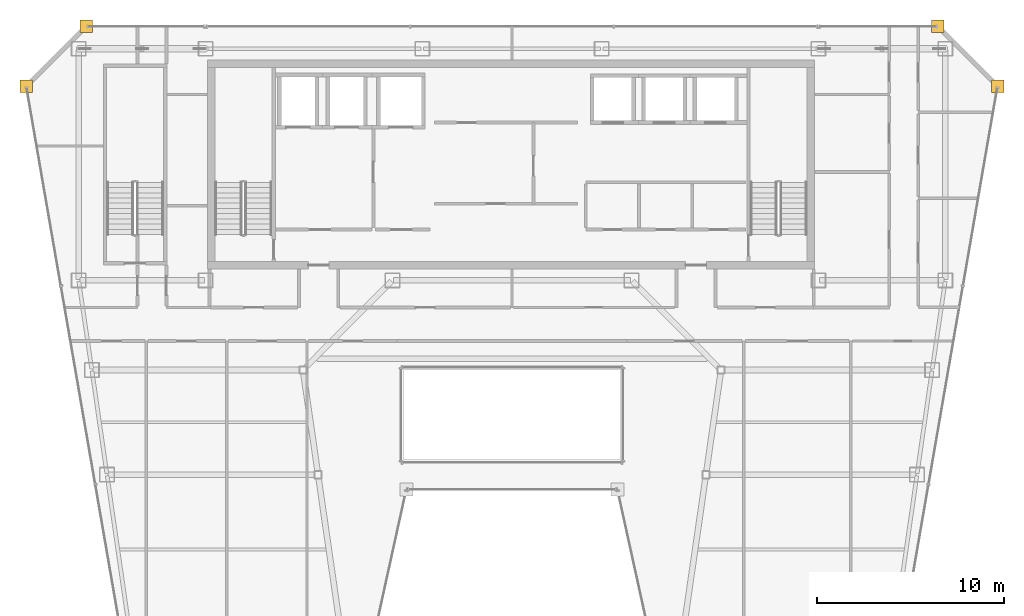
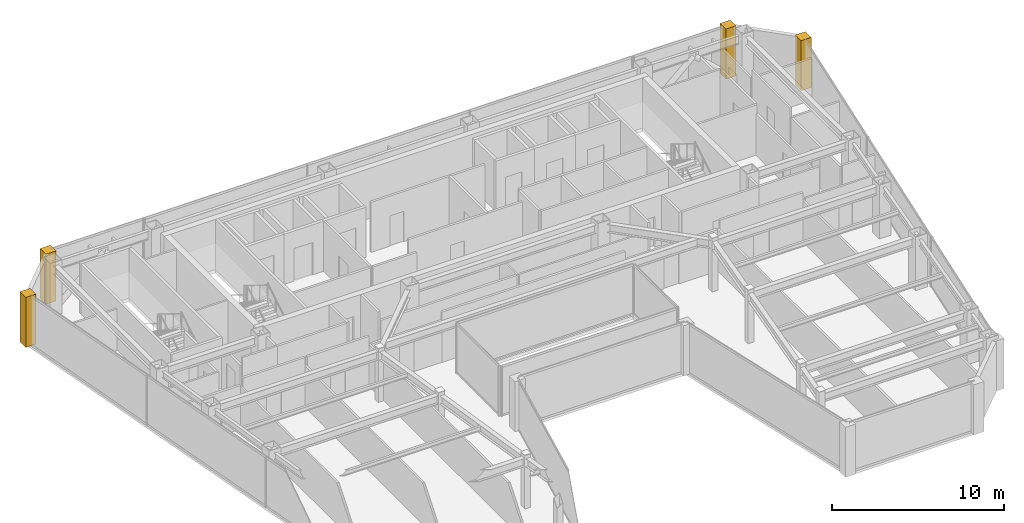
# One storey, part 33 of 33: 4 coverings.
"""IFC4 building model written with IfcOpenShell, lengths in metres."""

from ifc_helpers import new_model, si_unit, direction, frame, origin, place, context, subcontext, project, spatial, polyline, outline, extrude, material, layer, layer_set, type_object, element, save


model = new_model("IFC4")

# Units and contexts
model_context = context("Model", 3, precision=1e-05, world=origin(), true_north=direction((0.0, 1.0)))
body_context = subcontext(model_context, "Body", "Model", "MODEL_VIEW")
ifc_project = project(units=[si_unit("LENGTHUNIT", "METRE"), si_unit("AREAUNIT", "SQUARE_METRE"), si_unit("VOLUMEUNIT", "CUBIC_METRE"), si_unit("PLANEANGLEUNIT", "RADIAN"), si_unit("MASSUNIT", "GRAM", prefix="KILO")], contexts=[model_context])

# Site, building, storey
site_placement = place(None, origin())
site = spatial("IfcSite", under=ifc_project, at=site_placement, CompositionType="ELEMENT")
building_placement = place(site_placement, origin())
building = spatial("IfcBuilding", under=site, at=building_placement, Name="Saevonmaru Cultural Tower", CompositionType="ELEMENT")
storey_placement = place(building_placement, frame((0.0, 0.0, 234.39990234375)))
storey = spatial("IfcBuildingStorey", under=building, at=storey_placement, Name="L54", CompositionType="ELEMENT", Elevation=234.39990234375)

# Coverings
ifc_material = material(Name="Satin Bronze Anodised Aluminium", Category="aluminium")
ifc_layer = layer(ifc_material, 0.679931640625, Name="Satin Bronze Anodised Aluminium")
ifc_layer_set = layer_set([ifc_layer], Name="Satin Bronze Anodised Aluminium")
covering_type = type_object("IfcCoveringType", Name="CV-CORNER-CLAD", PredefinedType="CLADDING", material=ifc_layer_set)
covering_1_placement = place(storey_placement, origin())
element("IfcCovering", 1, at=covering_1_placement, inside=storey, type_object=covering_type, Name="L54 Tower Bronze Corner Cladding Pier 9", PredefinedType="CLADDING", context=body_context, shape_type="SweptSolid", body=[
    extrude(outline(polyline([(55.659912109375, 52.4599609375), (56.340087890625, 52.4599609375), (56.340087890625, 53.139892578125), (55.659912109375, 53.139892578125), (55.659912109375, 52.4599609375)])), origin(), (0.0, 0.0, 1.0), 3.550048828125),
])
covering_2_placement = place(storey_placement, origin())
element("IfcCovering", 2, at=covering_2_placement, inside=storey, type_object=covering_type, Name="L54 Tower Bronze Corner Cladding Pier 10", PredefinedType="CLADDING", context=body_context, shape_type="SweptSolid", body=[
    extrude(outline(polyline([(52.4599609375, 55.659912109375), (53.139892578125, 55.659912109375), (53.139892578125, 56.340087890625), (52.4599609375, 56.340087890625), (52.4599609375, 55.659912109375)])), origin(), (0.0, 0.0, 1.0), 3.550048828125),
])
covering_3_placement = place(storey_placement, origin())
element("IfcCovering", 3, at=covering_3_placement, inside=storey, type_object=covering_type, Name="L54 Tower Bronze Corner Cladding Pier 11", PredefinedType="CLADDING", context=body_context, shape_type="SweptSolid", body=[
    extrude(outline(polyline([(6.860107421875, 55.659912109375), (7.5400390625, 55.659912109375), (7.5400390625, 56.340087890625), (6.860107421875, 56.340087890625), (6.860107421875, 55.659912109375)])), origin(), (0.0, 0.0, 1.0), 3.550048828125),
])
covering_4_placement = place(storey_placement, origin())
element("IfcCovering", 4, at=covering_4_placement, inside=storey, type_object=covering_type, Name="L54 Tower Bronze Corner Cladding Pier 12", PredefinedType="CLADDING", context=body_context, shape_type="SweptSolid", body=[
    extrude(outline(polyline([(3.659912109375, 52.4599609375), (4.340087890625, 52.4599609375), (4.340087890625, 53.139892578125), (3.659912109375, 53.139892578125), (3.659912109375, 52.4599609375)])), origin(), (0.0, 0.0, 1.0), 3.550048828125),
])

save(model, "model.ifc")
